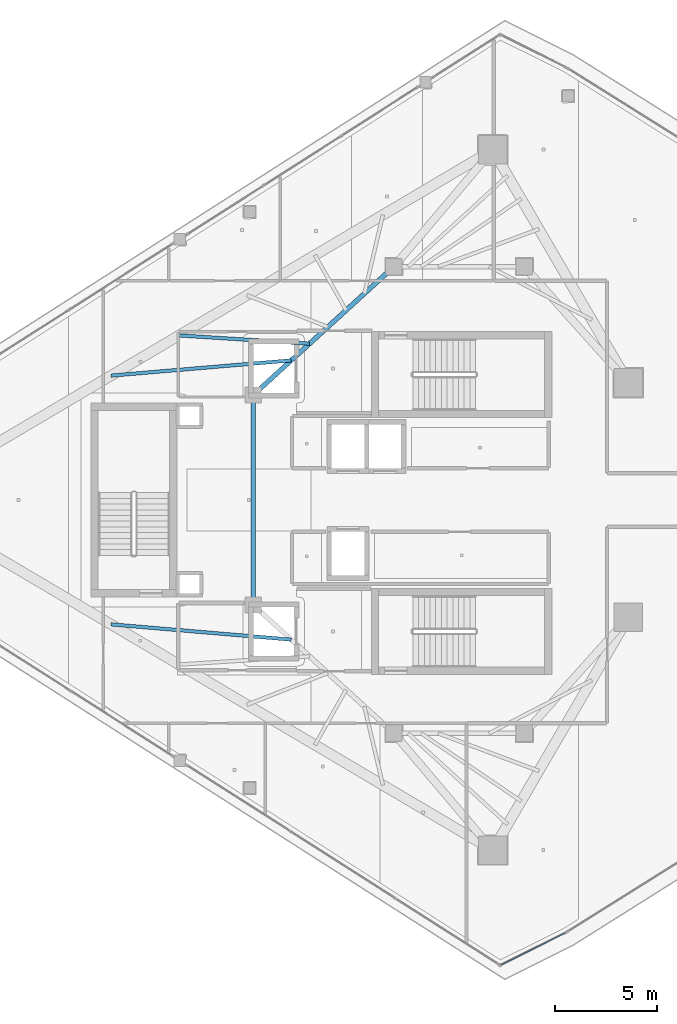
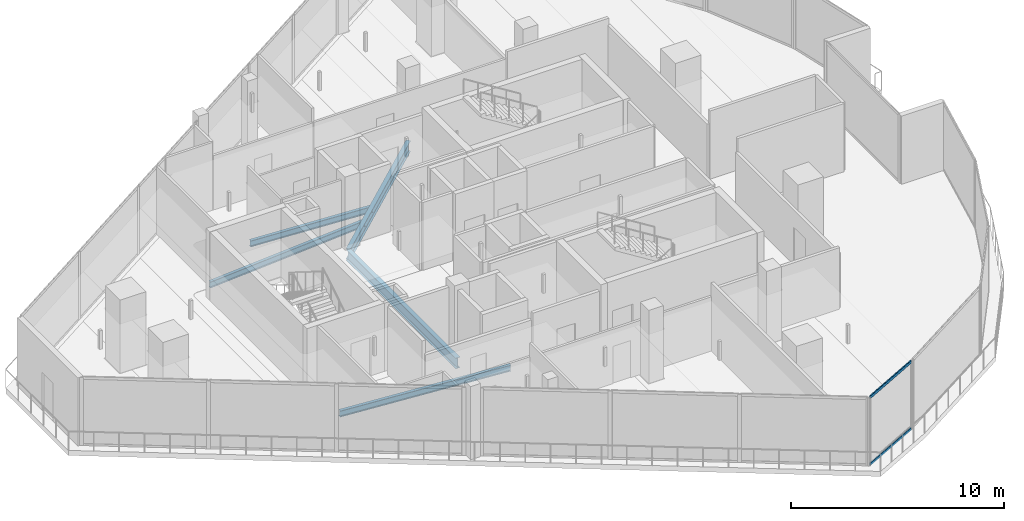
# One storey, part 6 of 25: 5 beams, 2 members, 1 element without a shape of its own.
"""IFC4 building model written with IfcOpenShell, lengths in metres."""

from ifc_helpers import new_model, si_unit, direction, frame, origin, origin_2d, place, context, subcontext, project, spatial, hollow_rectangle, i_section, extrude, material, layer, layer_set, material_profile, profile_set, type_object, element, aggregate, save


model = new_model("IFC4")

# Units and contexts
model_context = context("Model", 3, precision=1e-05, world=origin(), true_north=direction((0.0, 1.0)))
body_context = subcontext(model_context, "Body", "Model", "MODEL_VIEW")
ifc_project = project(units=[si_unit("LENGTHUNIT", "METRE"), si_unit("AREAUNIT", "SQUARE_METRE"), si_unit("VOLUMEUNIT", "CUBIC_METRE"), si_unit("PLANEANGLEUNIT", "RADIAN"), si_unit("MASSUNIT", "GRAM", prefix="KILO")], contexts=[model_context])

# Site, building, storey
site_placement = place(None, origin())
site = spatial("IfcSite", under=ifc_project, at=site_placement, CompositionType="ELEMENT")
building_placement = place(site_placement, origin())
building = spatial("IfcBuilding", under=site, at=building_placement, Name="Qorvath Tower", CompositionType="ELEMENT")
storey_placement = place(building_placement, frame((0.0, 0.0, 297.60009765625)))
storey = spatial("IfcBuildingStorey", under=building, at=storey_placement, Name="L69", CompositionType="ELEMENT", Elevation=297.60009765625)

# Beams
ifc_material_1 = material(Name="Steel ASTM A992 Grade 50", Category="steel")
ifc_material_profile_1 = material_profile(ifc_material_1, i_section(OverallWidth=0.22998046875, OverallDepth=0.616943359375, WebThickness=0.01318359375, FlangeThickness=0.022216796875, FilletRadius=0.014892578125, at=origin_2d()), Name="W24x94")
ifc_profile_set_1 = profile_set([ifc_material_profile_1], Name="Steel ASTM A992 Grade 50")
beam_type_1 = type_object("IfcBeamType", Name="BM-FG6", PredefinedType="BEAM", material=ifc_profile_set_1)
beam_1_placement = place(storey_placement, frame((-30.5, -5.14990234375, -0.598388671875), z_axis=(0.0, 1.0, 0.0), x_axis=(-1.0, 0.0, 0.0)))
element("IfcBeam", 1, at=beam_1_placement, inside=storey, type_object=beam_type_1, Name="Core Ring Girder CC6-CC5 L69", PredefinedType="BEAM", context=body_context, shape_type="SweptSolid", body=[
    extrude(i_section(OverallWidth=0.22998046875, OverallDepth=0.616943359375, WebThickness=0.01318359375, FlangeThickness=0.022216796875, FilletRadius=0.014892578125, at=origin_2d()), origin(), (0.0, 0.0, 1.0), 10.2998046875),
])
beam_2_placement = place(storey_placement, frame((-30.5, 5.14990234375, -0.598388671875), z_axis=(0.73847813985, 0.6742774184, 0.0), x_axis=(-0.6742774184, 0.73847813985, 0.0)))
element("IfcBeam", 2, at=beam_2_placement, inside=storey, type_object=beam_type_1, Name="Core Ring Girder CC5-CC1 L69", PredefinedType="BEAM", context=body_context, shape_type="SweptSolid", body=[
    extrude(i_section(OverallWidth=0.22998046875, OverallDepth=0.616943359375, WebThickness=0.01318359375, FlangeThickness=0.022216796875, FilletRadius=0.014892578125, at=origin_2d()), origin(), (0.0, 0.0, 1.0), 9.343505859375),
])
ifc_material_2 = material(Name="Steel ASTM A992 Grade 50", Category="steel")
ifc_material_profile_2 = material_profile(ifc_material_2, i_section(OverallWidth=0.1708984375, OverallDepth=0.35107421875, WebThickness=0.0068359375, FlangeThickness=0.009765625, FilletRadius=0.010009765625, at=origin_2d()), Name="W14x30")
ifc_profile_set_2 = profile_set([ifc_material_profile_2], Name="Steel ASTM A992 Grade 50")
beam_type_2 = type_object("IfcBeamType", Name="BM-FJ4", PredefinedType="JOIST", material=ifc_profile_set_2)
beam_3_placement = place(storey_placement, frame((-28.636962890625, 6.85107421875, -0.465576171875), z_axis=(-0.996436150147, -0.084350451576, 0.0), x_axis=(0.084350451576, -0.996436150147, 0.0)))
element("IfcBeam", 3, at=beam_3_placement, inside=storey, type_object=beam_type_2, Name="Composite Floor Joist NW2 L69", PredefinedType="JOIST", context=body_context, shape_type="SweptSolid", body=[
    extrude(i_section(OverallWidth=0.1708984375, OverallDepth=0.35107421875, WebThickness=0.0068359375, FlangeThickness=0.009765625, FilletRadius=0.010009765625, at=origin_2d()), origin(), (0.0, 0.0, 1.0), 8.87109375),
])
beam_4_placement = place(storey_placement, frame((-27.739990234375, 7.669921875, -0.465576171875), z_axis=(-0.998006998641, 0.063103333222, 0.0), x_axis=(-0.063103333222, -0.998006998641, 0.0)))
element("IfcBeam", 4, at=beam_4_placement, inside=storey, type_object=beam_type_2, Name="Composite Floor Joist NW3 L69", PredefinedType="JOIST", context=body_context, shape_type="SweptSolid", body=[
    extrude(i_section(OverallWidth=0.1708984375, OverallDepth=0.35107421875, WebThickness=0.0068359375, FlangeThickness=0.009765625, FilletRadius=0.010009765625, at=origin_2d()), origin(), (0.0, 0.0, 1.0), 6.41455078125),
])
beam_5_placement = place(storey_placement, frame((-28.636962890625, -6.85107421875, -0.465576171875), z_axis=(-0.996436150147, 0.084350451576, 0.0), x_axis=(-0.084350451576, -0.996436150147, 0.0)))
element("IfcBeam", 5, at=beam_5_placement, inside=storey, type_object=beam_type_2, Name="Composite Floor Joist SW2 L69", PredefinedType="JOIST", context=body_context, shape_type="SweptSolid", body=[
    extrude(i_section(OverallWidth=0.1708984375, OverallDepth=0.35107421875, WebThickness=0.0068359375, FlangeThickness=0.009765625, FilletRadius=0.010009765625, at=origin_2d()), origin(), (0.0, 0.0, 1.0), 8.87109375),
])

# Curtain wall, members
ifc_material_3 = material(Name="Anodised aluminium and triple low-E glass", Category="aluminium")
ifc_layer = layer(ifc_material_3, 0.179931640625)
ifc_layer_set = layer_set([ifc_layer], Name="CW-SYS-5")
curtain_wall_type = type_object("IfcCurtainWallType", Name="CW-SYS-5", PredefinedType="NOTDEFINED", material=ifc_layer_set)
curtain_wall_placement = place(storey_placement, origin())
curtain_wall = element("IfcCurtainWall", 6, at=curtain_wall_placement, inside=storey, type_object=curtain_wall_type, Name="Curtain Wall CW-5 CW-T-L69-3.1", PredefinedType="NOTDEFINED")
ifc_material_4 = material(Name="Anodised aluminium 6063-T6", Category="aluminium")
ifc_material_profile_3 = material_profile(ifc_material_4, hollow_rectangle(XDim=0.06494140625, YDim=0.159912109375, WallThickness=0.00341796875, InnerFilletRadius=0.00341796875, OuterFilletRadius=0.007080078125, at=origin_2d()), Name="CWT 160x65")
ifc_profile_set_3 = profile_set([ifc_material_profile_3], Name="Anodised aluminium 6063-T6")
member_type = type_object("IfcMemberType", Name="CWT-160", PredefinedType="USERDEFINED", material=ifc_profile_set_3)
member_1_placement = place(storey_placement, frame((-18.3203125, -22.803955078125, 0.032470703125), z_axis=(0.894441152027, 0.447185672355, 0.0), x_axis=(-0.447185672355, 0.894441152027, 0.0)))
member_1 = element("IfcMember", 7, at=member_1_placement, type_object=member_type, Name="CW-5 transom 1.1", ObjectType="TRANSOM", PredefinedType="USERDEFINED", context=body_context, shape_type="SweptSolid", body=[
    extrude(hollow_rectangle(XDim=0.06494140625, YDim=0.159912109375, WallThickness=0.00341796875, InnerFilletRadius=0.00341796875, OuterFilletRadius=0.007080078125, at=origin_2d()), origin(), (0.0, 0.0, 1.0), 3.497314453125),
])
member_2_placement = place(storey_placement, frame((-18.3203125, -22.803955078125, 3.87744140625), z_axis=(0.894441152027, 0.447185672355, 0.0), x_axis=(-0.447185672355, 0.894441152027, 0.0)))
member_2 = element("IfcMember", 8, at=member_2_placement, type_object=member_type, Name="CW-5 transom 1.2", ObjectType="TRANSOM", PredefinedType="USERDEFINED", context=body_context, shape_type="SweptSolid", body=[
    extrude(hollow_rectangle(XDim=0.06494140625, YDim=0.159912109375, WallThickness=0.00341796875, InnerFilletRadius=0.00341796875, OuterFilletRadius=0.007080078125, at=origin_2d()), origin(), (0.0, 0.0, 1.0), 3.497314453125),
])
aggregate(curtain_wall, [member_1, member_2])

save(model, "model.ifc")
